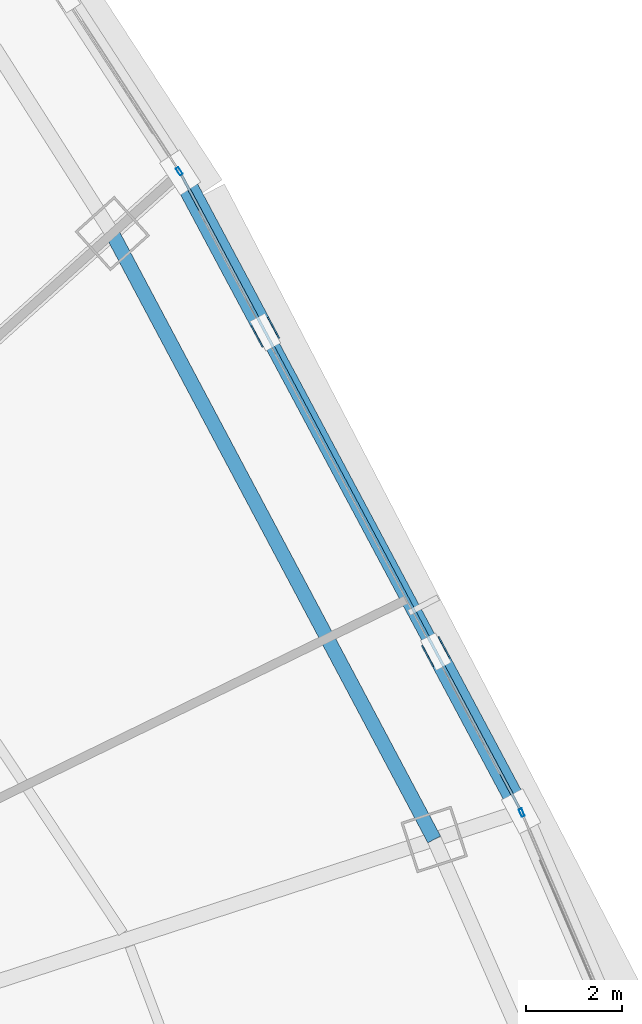
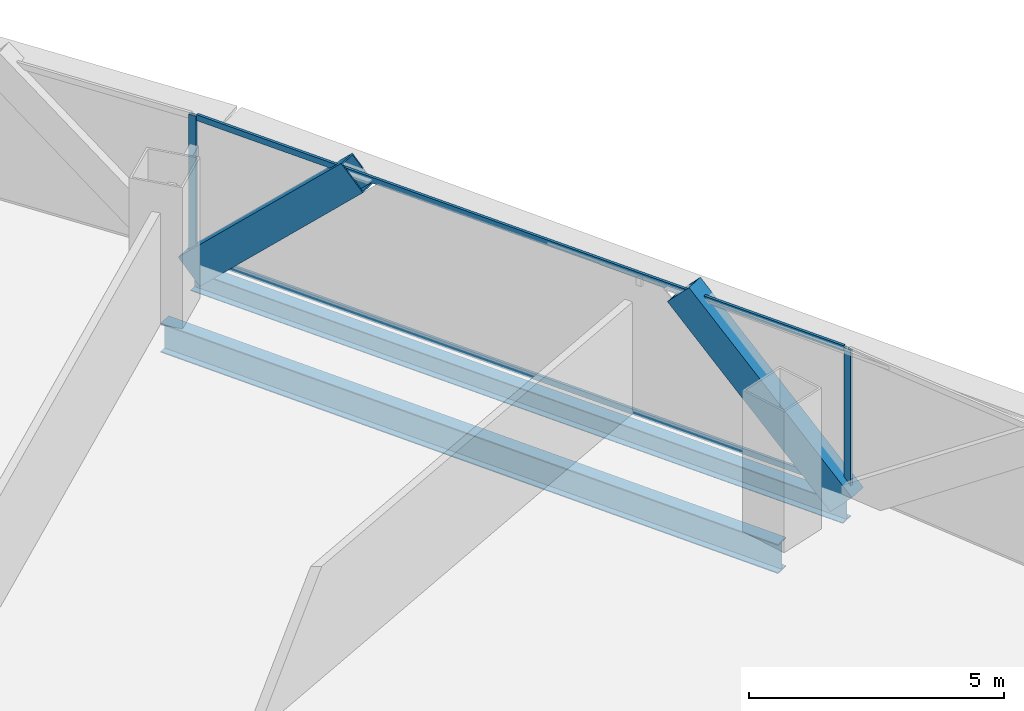
# One storey, part 23 of 38: 6 members, 2 beams, 3 elements without a shape of their own.
"""IFC4 building model written with IfcOpenShell, lengths in metres."""

import ifcopenshell
import ifcopenshell.guid

model = None  # the IFC model being written
_history = None  # IfcOwnerHistory: only IFC2X3 demands one
_inside = {}  # id of a spatial element -> (the spatial element, [elements in it])
_under = {}  # id of a project, library or spatial element -> (it, [spatial elements below it])
_declared = {}  # id of a project -> (the project, [libraries it declares])
_typed = {}  # id of a type object -> (the type object, [elements of that type])
_made_of = {}  # id of a material, layer set ... -> (it, [elements and type objects made of it])


def new_model(schema):
    """Start an empty IFC model of exactly this schema.

    Asked for "IFC4X3", IfcOpenShell would pick the latest addendum, in which some entities
    have other attributes; the version numbers below select the first issue.
    IFC2X3 requires an IfcOwnerHistory on every rooted entity: one is made here for all.
    """
    global model, _history
    if schema == "IFC4X3":
        model = ifcopenshell.file(schema_version=(4, 3, 0, 0))
    else:
        model = ifcopenshell.file(schema=schema)
    _inside.clear()
    _under.clear()
    _declared.clear()
    _typed.clear()
    _made_of.clear()
    _history = None
    if model.schema == "IFC2X3":
        org = make("IfcOrganization", Name="unknown")
        user = make(
            "IfcPersonAndOrganization",
            ThePerson=make("IfcPerson", FamilyName="unknown"),
            TheOrganization=org,
        )
        app = make(
            "IfcApplication",
            ApplicationDeveloper=org,
            Version="unknown",
            ApplicationFullName="unknown",
            ApplicationIdentifier="unknown",
        )
        _history = make(
            "IfcOwnerHistory",
            OwningUser=user,
            OwningApplication=app,
            ChangeAction="ADDED",
            CreationDate=0,
        )
    return model


def make(cls, **values):
    """One entity of the class cls with the attributes given. An attribute that is None is left unset."""
    return model.create_entity(
        cls, **{name: value for name, value in values.items() if value is not None}
    )


def rooted(cls, **values):
    """An entity with a GlobalId (a new one), such as an element, a storey or a relation."""
    return make(cls, GlobalId=ifcopenshell.guid.new(), OwnerHistory=_history, **values)


def si_unit(unit_type, name, prefix=None):
    """IfcSIUnit, for example si_unit("LENGTHUNIT", "METRE", prefix="MILLI")."""
    return make("IfcSIUnit", UnitType=unit_type, Prefix=prefix, Name=name)


def assignment(units):
    """IfcUnitAssignment: the units of a project."""
    return None if units is None else make("IfcUnitAssignment", Units=units)


def point(xyz):
    """IfcCartesianPoint."""
    return None if xyz is None else make("IfcCartesianPoint", Coordinates=xyz)


def direction(xyz):
    """IfcDirection."""
    return None if xyz is None else make("IfcDirection", DirectionRatios=xyz)


def frame(location, z_axis=None, x_axis=None):
    """IfcAxis2Placement3D, a coordinate frame: its origin and axes. An axis left out is left unset."""
    return make(
        "IfcAxis2Placement3D",
        Location=point(location),
        Axis=direction(z_axis),
        RefDirection=direction(x_axis),
    )


def frame_2d(location, x_axis=None):
    """IfcAxis2Placement2D, a coordinate frame in the plane: its origin and x axis."""
    return make(
        "IfcAxis2Placement2D", Location=point(location), RefDirection=direction(x_axis)
    )


def origin():
    """The frame at (0, 0, 0) with its axes left unset."""
    return frame((0.0, 0.0, 0.0))


def origin_2d():
    """The frame at (0, 0) in the plane with its x axis left unset."""
    return frame_2d((0.0, 0.0))


def place(relative_to, where):
    """IfcLocalPlacement: puts the frame where relative to a parent placement (None: the world)."""
    return make(
        "IfcLocalPlacement", PlacementRelTo=relative_to, RelativePlacement=where
    )


def context(
    kind, dimensions, precision=None, world=None, true_north=None, identifier=None
):
    """IfcGeometricRepresentationContext, for example the 3D "Model" context."""
    return make(
        "IfcGeometricRepresentationContext",
        ContextIdentifier=identifier,
        ContextType=kind,
        CoordinateSpaceDimension=dimensions,
        Precision=precision,
        WorldCoordinateSystem=world,
        TrueNorth=true_north,
    )


def subcontext(parent, identifier, kind, view, scale=None):
    """IfcGeometricRepresentationSubContext, for example "Body" below "Model"."""
    return make(
        "IfcGeometricRepresentationSubContext",
        ContextIdentifier=identifier,
        ContextType=kind,
        ParentContext=parent,
        TargetScale=scale,
        TargetView=view,
    )


def project(units=None, contexts=None):
    """IfcProject with its units and contexts."""
    return rooted(
        "IfcProject",
        Name="project",
        RepresentationContexts=contexts,
        UnitsInContext=assignment(units),
    )


def spatial(cls, under=None, at=None, **own):
    """A site, building, storey or space (cls), placed at a placement, below another one or the project."""
    s = rooted(cls, ObjectPlacement=at, **own)
    if under is not None:
        _under.setdefault(under.id(), (under, []))[1].append(s)
    return s


def profile(cls, at=None, kind="AREA", **sizes):
    """A parametric profile (cls). Its sizes go by their IFC names, for example OverallWidth=200.0."""
    return make(cls, ProfileType=kind, Position=at, **sizes)


def hollow_rectangle(**sizes):
    """IfcRectangleHollowProfileDef."""
    return profile("IfcRectangleHollowProfileDef", **sizes)


def i_section(**sizes):
    """IfcIShapeProfileDef."""
    return profile("IfcIShapeProfileDef", **sizes)


def extrude(swept, where, along, depth):
    """IfcExtrudedAreaSolid: the profile swept, set in the frame where, extruded along a direction by depth."""
    return make(
        "IfcExtrudedAreaSolid",
        SweptArea=swept,
        Position=where,
        ExtrudedDirection=direction(along),
        Depth=depth,
    )


def shape(context_of_items, identifier, shape_type, items):
    """IfcShapeRepresentation: the items that make up one representation, for example the "Body"."""
    return make(
        "IfcShapeRepresentation",
        ContextOfItems=context_of_items,
        RepresentationIdentifier=identifier,
        RepresentationType=shape_type,
        Items=items,
    )


def source(mapping_origin, context_of_items, identifier, shape_type, items):
    """IfcRepresentationMap: a shape defined once, which mapped items show again and again."""
    return make(
        "IfcRepresentationMap",
        MappingOrigin=mapping_origin,
        MappedRepresentation=shape(context_of_items, identifier, shape_type, items),
    )


def transform(
    local_origin,
    x_axis=None,
    y_axis=None,
    z_axis=None,
    scale=None,
    scale2=None,
    scale3=None,
    uniform=True,
):
    """IfcCartesianTransformationOperator3D, or its non-uniform kind. x_axis, y_axis, z_axis: its Axis1, 2, 3."""
    if uniform:
        return make(
            "IfcCartesianTransformationOperator3D",
            Axis1=direction(x_axis),
            Axis2=direction(y_axis),
            LocalOrigin=point(local_origin),
            Scale=scale,
            Axis3=direction(z_axis),
        )
    return make(
        "IfcCartesianTransformationOperator3DnonUniform",
        Axis1=direction(x_axis),
        Axis2=direction(y_axis),
        LocalOrigin=point(local_origin),
        Scale=scale,
        Axis3=direction(z_axis),
        Scale2=scale2,
        Scale3=scale3,
    )


def mapped(mapping_source, mapping_target):
    """IfcMappedItem: shows the shape of a source again, moved by a transform."""
    return make(
        "IfcMappedItem", MappingSource=mapping_source, MappingTarget=mapping_target
    )


def material(Name=None, Category=None):
    """IfcMaterial."""
    return make("IfcMaterial", Name=Name, Category=Category)


def layer(
    of_material, thickness, ventilated=None, Name=None, Category=None, Priority=None
):
    """IfcMaterialLayer: one layer of a wall or slab, of a material (None: an air gap)."""
    return make(
        "IfcMaterialLayer",
        Material=of_material,
        LayerThickness=thickness,
        IsVentilated=ventilated,
        Name=Name,
        Category=Category,
        Priority=Priority,
    )


def layer_set(layers, Name=None):
    """IfcMaterialLayerSet."""
    return make("IfcMaterialLayerSet", MaterialLayers=layers, LayerSetName=Name)


def material_profile(
    of_material, cross_section, Name=None, Category=None, Priority=None
):
    """IfcMaterialProfile: a cross section and its material."""
    return make(
        "IfcMaterialProfile",
        Name=Name,
        Material=of_material,
        Profile=cross_section,
        Priority=Priority,
        Category=Category,
    )


def profile_set(profiles, Name=None, composite=None):
    """IfcMaterialProfileSet."""
    return make(
        "IfcMaterialProfileSet",
        Name=Name,
        MaterialProfiles=profiles,
        CompositeProfile=composite,
    )


def made_of(thing, what):
    """Note that an element or type object is made of a material, layer set ...; save() writes the relation."""
    if what is not None:
        _made_of.setdefault(what.id(), (what, []))[1].append(thing)
    return thing


def type_object(cls, material=None, **own):
    """A type object (cls), such as IfcWallType, which elements share."""
    return made_of(rooted(cls, **own), material)


def element(
    cls,
    number,
    at=None,
    inside=None,
    cuts=None,
    type_object=None,
    material=None,
    context=None,
    identifier="Body",
    shape_type=None,
    held_by="IfcProductDefinitionShape",
    body=None,
    shapes=None,
    **own,
):
    """One element of the class cls, such as IfcWall. Its Tag is "e" and its number.

    at: its placement. inside: the storey or other place that contains it. cuts: it is an
    opening in that element (IfcRelVoidsElement). A single representation is given by context,
    identifier, shape_type and body (its items); several are given by shapes. held_by: the class
    of the entity that holds the representations. save() writes the other relations.
    """
    e = rooted(cls, Tag="e%d" % number, ObjectPlacement=at, **own)
    if body is not None:
        shapes = [shape(context, identifier, shape_type, body)]
    if shapes is not None:
        e.Representation = make(held_by, Representations=shapes)
    if inside is not None:
        _inside.setdefault(inside.id(), (inside, []))[1].append(e)
    if cuts is not None:
        rooted(
            "IfcRelVoidsElement", RelatingBuildingElement=cuts, RelatedOpeningElement=e
        )
    if type_object is not None:
        _typed.setdefault(type_object.id(), (type_object, []))[1].append(e)
    return made_of(e, material)


def aggregate(whole, parts):
    """IfcRelAggregates: a whole, such as a stair, and the parts it consists of."""
    return rooted("IfcRelAggregates", RelatingObject=whole, RelatedObjects=parts)


def save(model, path):
    """Write the relations noted so far, then the file.

    IfcRelAggregates (storeys below a building ...), IfcRelContainedInSpatialStructure (elements
    in a storey), IfcRelDefinesByType, IfcRelAssociatesMaterial and IfcRelDeclares: one each for
    every whole, place, type object, material and project.
    """
    for whole, parts in _under.values():
        aggregate(whole, parts)
    for where, things in _inside.values():
        rooted(
            "IfcRelContainedInSpatialStructure",
            RelatedElements=things,
            RelatingStructure=where,
        )
    for kind, things in _typed.values():
        rooted("IfcRelDefinesByType", RelatedObjects=things, RelatingType=kind)
    for what, things in _made_of.values():
        rooted("IfcRelAssociatesMaterial", RelatedObjects=things, RelatingMaterial=what)
    for by, libraries in _declared.values():
        rooted("IfcRelDeclares", RelatingContext=by, RelatedDefinitions=libraries)
    model.write(path)


model = new_model("IFC4")

# Units and contexts
model_context = context("Model", 3, precision=1e-05, world=origin(), true_north=direction((0.0, 1.0)))
body_context = subcontext(model_context, "Body", "Model", "MODEL_VIEW")
ifc_project = project(units=[si_unit("LENGTHUNIT", "METRE"), si_unit("AREAUNIT", "SQUARE_METRE"), si_unit("VOLUMEUNIT", "CUBIC_METRE"), si_unit("PLANEANGLEUNIT", "RADIAN"), si_unit("MASSUNIT", "GRAM", prefix="KILO"), si_unit("THERMODYNAMICTEMPERATUREUNIT", "KELVIN"), si_unit("POWERUNIT", "WATT")], contexts=[model_context])

# Site, building, storey
site_placement = place(None, origin())
site = spatial("IfcSite", under=ifc_project, at=site_placement, CompositionType="ELEMENT")
building_placement = place(site_placement, origin())
building = spatial("IfcBuilding", under=site, at=building_placement, Name="Yunzhuo Pagoda Commons", CompositionType="ELEMENT")
storey_placement = place(building_placement, frame((0.0, 0.0, 34.030029296875)))
storey = spatial("IfcBuildingStorey", under=building, at=storey_placement, Name="L08", CompositionType="ELEMENT", Elevation=34.030029296875)

# Beams
ifc_material_1 = material(Name="Structural steel Q355B", Category="steel")
ifc_material_profile_1 = material_profile(ifc_material_1, i_section(OverallWidth=0.300048828125, OverallDepth=0.699951171875, WebThickness=0.012939453125, FlangeThickness=0.02392578125, at=origin_2d()), Name="Structural steel Q355B")
ifc_profile_set_1 = profile_set([ifc_material_profile_1], Name="Structural steel Q355B")
beam_type_1 = type_object("IfcBeamType", Name="B-RG1 Beam HN 700x300x13x24", PredefinedType="BEAM", material=ifc_profile_set_1)
shared_shape_1 = source(origin(), body_context, "Body", "SweptSolid", [
    extrude(i_section(OverallWidth=0.300048828125, OverallDepth=0.699951171875, WebThickness=0.012939453125, FlangeThickness=0.02392578125, at=origin_2d()), origin(), (0.0, 0.0, 1.0), 14.25390625),
])
beam_1_placement = place(storey_placement, frame((80.33544921875, 44.206298828125, -0.610107421875), z_axis=(-0.469118073628, 0.883135455633, 0.0), x_axis=(-0.883135455633, -0.469118073628, 0.0)))
element("IfcBeam", 1, at=beam_1_placement, inside=storey, type_object=beam_type_1, Name="L08 column-ring beam 6", PredefinedType="BEAM", context=body_context, shape_type="MappedRepresentation", body=[
    mapped(shared_shape_1, transform((0.0, 0.0, 0.0), scale=1.0)),
])
ifc_material_profile_2 = material_profile(ifc_material_1, i_section(OverallWidth=0.300048828125, OverallDepth=0.488037109375, WebThickness=0.010986328125, FlangeThickness=0.01806640625, at=origin_2d()), Name="Structural steel Q355B")
ifc_profile_set_2 = profile_set([ifc_material_profile_2], Name="Structural steel Q355B")
beam_type_2 = type_object("IfcBeamType", Name="B-SP1 Beam HM 488x300x11x18", PredefinedType="BEAM", material=ifc_profile_set_2)
shared_shape_2 = source(origin(), body_context, "Body", "SweptSolid", [
    extrude(i_section(OverallWidth=0.300048828125, OverallDepth=0.488037109375, WebThickness=0.010986328125, FlangeThickness=0.01806640625, at=origin_2d()), origin(), (0.0, 0.0, 1.0), 15.04150390625),
])
beam_2_placement = place(storey_placement, frame((82.140625, 44.79296875, -0.504150390625), z_axis=(-0.470965610657, 0.882151570637, 0.0), x_axis=(-0.882151570637, -0.470965610657, 0.0)))
element("IfcBeam", 2, at=beam_2_placement, inside=storey, type_object=beam_type_2, Name="L08 facade edge spandrel beam F2.2", PredefinedType="BEAM", context=body_context, shape_type="MappedRepresentation", body=[
    mapped(shared_shape_2, transform((0.0, 0.0, 0.0), scale=1.0)),
])

# Members
ifc_material_2 = material(Name="Structural steel Q420B", Category="steel")
ifc_material_profile_3 = material_profile(ifc_material_2, hollow_rectangle(XDim=0.419921875, YDim=0.719970703125, WallThickness=0.028076171875, at=origin_2d()), Name="Structural steel Q420B")
ifc_profile_set_3 = profile_set([ifc_material_profile_3], Name="Structural steel Q420B")
member_type_1 = type_object("IfcMemberType", Name="M-DL1 Brace BOX 720x420x28", PredefinedType="BRACE", material=ifc_profile_set_3)
shared_shape_3 = source(origin(), body_context, "Body", "SweptSolid", [
    extrude(hollow_rectangle(XDim=0.419921875, YDim=0.719970703125, WallThickness=0.028076171875, at=origin_2d()), origin(), (0.0, 0.0, 1.0), 5.226318359375),
])
for number, where, z_axis, x_axis, name in (
    (3, (82.140625, 44.79296875, -0.259765625), (-0.338862922624, 0.63470230627, 0.694496149799), (-0.882147970332, -0.47097235422, 0.0), "L08 facade diamond brace F2.2L"),
    (4, (75.056640625, 58.061767578125, -0.259765625), (0.338811525661, -0.634740246888, 0.694486550669), (0.882189341937, 0.470894855539, 0.0), "L08 facade diamond brace F2.2R"),
):
    element("IfcMember", number, at=place(storey_placement, frame(where, z_axis=z_axis, x_axis=x_axis)), inside=storey, type_object=member_type_1, Name=name, PredefinedType="BRACE", context=body_context, shape_type="MappedRepresentation", body=[
        mapped(shared_shape_3, transform((0.0, 0.0, 0.0), scale=1.0)),
    ])

# Curtain wall, members
ifc_material_3 = material(Name="Anodized aluminium 6063-T6", Category="aluminium")
ifc_layer = layer(ifc_material_3, 0.1650390625)
ifc_layer_set = layer_set([ifc_layer], Name="Anodized aluminium 6063-T6")
curtain_wall_type = type_object("IfcCurtainWallType", Name="CW-LOW Low-Zone Ribbon Curtain Wall", PredefinedType="NOTDEFINED", material=ifc_layer_set)
curtain_wall_1_placement = place(storey_placement, origin())
curtain_wall_1 = element("IfcCurtainWall", 5, at=curtain_wall_1_placement, inside=storey, type_object=curtain_wall_type, Name="L08 curtain wall CW-L08-F2B3", PredefinedType="NOTDEFINED")
ifc_material_profile_4 = material_profile(ifc_material_3, hollow_rectangle(XDim=0.06005859375, YDim=0.139892578125, WallThickness=0.00341796875, at=origin_2d()), Name="Anodized aluminium 6063-T6")
ifc_profile_set_4 = profile_set([ifc_material_profile_4], Name="Anodized aluminium 6063-T6")
member_type_2 = type_object("IfcMemberType", Name="CW-LOW-T Transom RHS 140x60x3.5", PredefinedType="USERDEFINED", material=ifc_profile_set_4)
shared_shape_4 = source(origin(), body_context, "Body", "SweptSolid", [
    extrude(hollow_rectangle(XDim=0.06005859375, YDim=0.139892578125, WallThickness=0.00341796875, at=origin_2d()), origin(), (0.0, 0.0, 1.0), 14.911865234375),
])
member_1_placement = place(storey_placement, frame((82.110107421875, 44.850341796875, 0.030029296875), z_axis=(-0.470983333873, 0.882142108287, 0.0), x_axis=(-0.882142108287, -0.470983333873, 0.0)))
member_1 = element("IfcMember", 6, at=member_1_placement, type_object=member_type_2, Name="CW transom 1.1", ObjectType="TRANSOM", PredefinedType="USERDEFINED", context=body_context, shape_type="MappedRepresentation", body=[
    mapped(shared_shape_4, transform((0.0, 0.0, 0.0), scale=1.0)),
])
member_2_placement = place(storey_placement, frame((82.110107421875, 44.850341796875, 3.340087890625), z_axis=(-0.470983333873, 0.882142108287, 0.0), x_axis=(-0.882142108287, -0.470983333873, 0.0)))
member_2 = element("IfcMember", 7, at=member_2_placement, type_object=member_type_2, Name="CW transom 1.2", ObjectType="TRANSOM", PredefinedType="USERDEFINED", context=body_context, shape_type="MappedRepresentation", body=[
    mapped(shared_shape_4, transform((0.0, 0.0, 0.0), scale=1.0)),
])
aggregate(curtain_wall_1, [member_1, member_2])

# Curtain wall, member
curtain_wall_2_placement = place(storey_placement, origin())
curtain_wall_2 = element("IfcCurtainWall", 8, at=curtain_wall_2_placement, inside=storey, type_object=curtain_wall_type, Name="L08 curtain wall CW-L08-F2B2", PredefinedType="NOTDEFINED")
ifc_material_profile_5 = material_profile(ifc_material_3, hollow_rectangle(XDim=0.06494140625, YDim=0.1650390625, WallThickness=0.00390625, at=origin_2d()), Name="Anodized aluminium 6063-T6")
ifc_profile_set_5 = profile_set([ifc_material_profile_5], Name="Anodized aluminium 6063-T6")
member_type_3 = type_object("IfcMemberType", Name="CW-LOW-M Mullion RHS 165x65x4", PredefinedType="MULLION", material=ifc_profile_set_5)
shared_shape_5 = source(origin(), body_context, "Body", "SweptSolid", [
    extrude(hollow_rectangle(XDim=0.06494140625, YDim=0.1650390625, WallThickness=0.00390625, at=origin_2d()), origin(), (0.0, 0.0, 1.0), 3.369873046875),
])
member_3_placement = place(storey_placement, frame((82.15380859375, 44.76318359375, 0.0), z_axis=(0.0, 0.0, 1.0), x_axis=(-0.918745212535, -0.394850901535, 0.0)))
member_3 = element("IfcMember", 9, at=member_3_placement, type_object=member_type_3, Name="CW mullion 2", PredefinedType="MULLION", context=body_context, shape_type="MappedRepresentation", body=[
    mapped(shared_shape_5, transform((0.0, 0.0, 0.0), scale=1.0)),
])
aggregate(curtain_wall_2, [member_3])

curtain_wall_3_placement = place(storey_placement, origin())
curtain_wall_3 = element("IfcCurtainWall", 10, at=curtain_wall_3_placement, inside=storey, type_object=curtain_wall_type, Name="L08 curtain wall CW-L08-F2B4", PredefinedType="NOTDEFINED")
member_4_placement = place(storey_placement, frame((75.038818359375, 58.0888671875, 0.0), z_axis=(0.0, 0.0, 1.0), x_axis=(-0.83865240069, -0.544667009114, 0.0)))
member_4 = element("IfcMember", 11, at=member_4_placement, type_object=member_type_3, Name="CW mullion 1", PredefinedType="MULLION", context=body_context, shape_type="MappedRepresentation", body=[
    mapped(shared_shape_5, transform((0.0, 0.0, 0.0), scale=1.0)),
])
aggregate(curtain_wall_3, [member_4])

save(model, "model.ifc")
